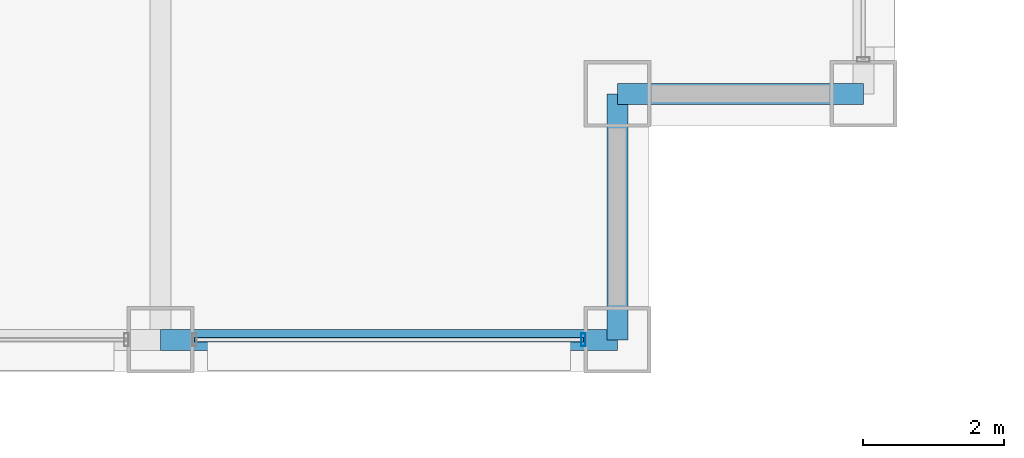
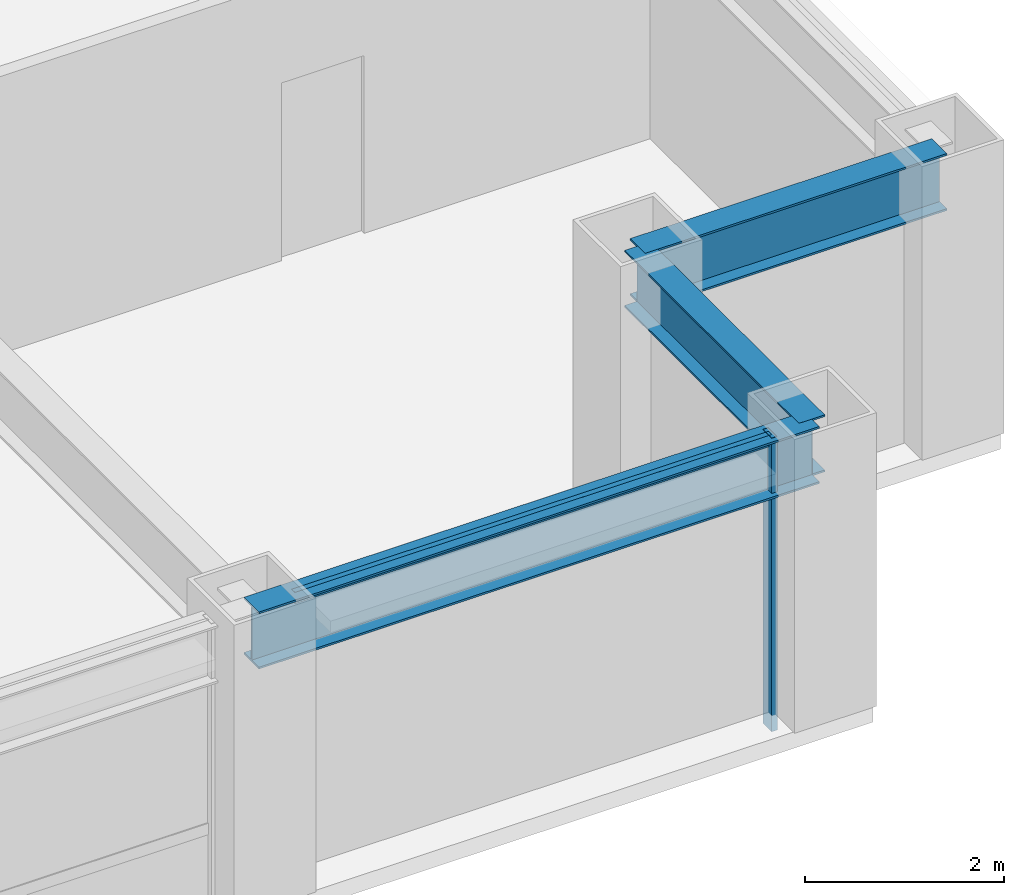
# One storey, part 10 of 31: 3 beams, 2 members, 1 element without a shape of its own.
"""IFC4 building model written with IfcOpenShell, lengths in metres."""

from ifc_helpers import new_model, si_unit, direction, frame, origin, origin_2d, place, context, subcontext, project, spatial, hollow_rectangle, i_section, extrude, material, layer, layer_set, material_profile, profile_set, type_object, element, aggregate, save


model = new_model("IFC4")

# Units and contexts
model_context = context("Model", 3, precision=1e-05, world=origin(), true_north=direction((0.0, 1.0)))
body_context = subcontext(model_context, "Body", "Model", "MODEL_VIEW")
ifc_project = project(units=[si_unit("LENGTHUNIT", "METRE"), si_unit("AREAUNIT", "SQUARE_METRE"), si_unit("VOLUMEUNIT", "CUBIC_METRE"), si_unit("PLANEANGLEUNIT", "RADIAN"), si_unit("MASSUNIT", "GRAM", prefix="KILO")], contexts=[model_context])

# Site, building, storey
site_placement = place(None, origin())
site = spatial("IfcSite", under=ifc_project, at=site_placement, CompositionType="ELEMENT")
building_placement = place(site_placement, origin())
building = spatial("IfcBuilding", under=site, at=building_placement, Name="Brelmoor Portico Tower", CompositionType="ELEMENT")
storey_placement = place(building_placement, frame((0.0, 0.0, 31.199951171875)))
storey = spatial("IfcBuildingStorey", under=building, at=storey_placement, Name="L07", CompositionType="ELEMENT", Elevation=31.199951171875)

# Beams
ifc_material_1 = material(Name="Steel Q355B", Category="steel")
ifc_material_profile_1 = material_profile(ifc_material_1, i_section(OverallWidth=0.300048828125, OverallDepth=0.699951171875, WebThickness=0.012939453125, FlangeThickness=0.02392578125, at=origin_2d()), Name="HN 700x300x13x24")
ifc_profile_set_1 = profile_set([ifc_material_profile_1], Name="Steel Q355B")
beam_type = type_object("IfcBeamType", Name="BM-SP-700", PredefinedType="SPANDREL", material=ifc_profile_set_1)
beam_placement = place(storey_placement, frame((14.550048828125, -21.550048828125, 3.050048828125), z_axis=(1.0, 0.0, 0.0), x_axis=(0.0, 1.0, 0.0)))
element("IfcBeam", 1, at=beam_placement, inside=storey, type_object=beam_type, Name="L07 Perimeter Spandrel Beam SP-05", PredefinedType="SPANDREL", context=body_context, shape_type="SweptSolid", body=[
    extrude(i_section(OverallWidth=0.300048828125, OverallDepth=0.699951171875, WebThickness=0.012939453125, FlangeThickness=0.02392578125, at=origin_2d()), origin(), (0.0, 0.0, 1.0), 6.5),
])
for number, where, z_axis, x_axis, name in (
    (2, (21.050048828125, -18.050048828125, 3.050048828125), (1.0, 0.0, 0.0), (0.0, 1.0, 0.0), "L07 Perimeter Spandrel Beam SP-07"),
    (3, (21.050048828125, -21.550048828125, 3.050048828125), (0.0, 1.0, 0.0), (-1.0, 0.0, 0.0), "L07 Perimeter Spandrel Beam SP-20"),
):
    element("IfcBeam", number, at=place(storey_placement, frame(where, z_axis=z_axis, x_axis=x_axis)), inside=storey, type_object=beam_type, Name=name, PredefinedType="SPANDREL", context=body_context, shape_type="SweptSolid", body=[
        extrude(i_section(OverallWidth=0.300048828125, OverallDepth=0.699951171875, WebThickness=0.012939453125, FlangeThickness=0.02392578125, at=origin_2d()), origin(), (0.0, 0.0, 1.0), 3.5),
    ])

# Curtain wall, members
ifc_material_2 = material(Name="Anodised Aluminium Alloy 6063-T6", Category="aluminium")
ifc_layer = layer(ifc_material_2, 0.179931640625)
ifc_layer_set = layer_set([ifc_layer], Name="Anodised Aluminium Alloy 6063-T6")
curtain_wall_type = type_object("IfcCurtainWallType", Name="CW-TOWER-Z1-XB", PredefinedType="NOTDEFINED", material=ifc_layer_set)
curtain_wall_placement = place(storey_placement, origin())
curtain_wall = element("IfcCurtainWall", 4, at=curtain_wall_placement, inside=storey, type_object=curtain_wall_type, Name="L07 Curtain Wall CW-L07-1R-3", PredefinedType="NOTDEFINED")
ifc_material_profile_2 = material_profile(ifc_material_2, hollow_rectangle(XDim=0.06494140625, YDim=0.179931640625, WallThickness=0.00390625, at=origin_2d()), Name="ALU MULLION 65x180")
ifc_profile_set_2 = profile_set([ifc_material_profile_2], Name="Anodised Aluminium Alloy 6063-T6")
member_type_1 = type_object("IfcMemberType", Name="MB-CW-MULL-180", PredefinedType="MULLION", material=ifc_profile_set_2)
member_1_placement = place(storey_placement, frame((20.56494140625, -21.550048828125, -0.199951171875), z_axis=(0.0, 0.0, 1.0), x_axis=(1.0, 0.0, 0.0)))
member_1 = element("IfcMember", 5, at=member_1_placement, type_object=member_type_1, Name="CW-L07-1R-3 Mullion 01", PredefinedType="MULLION", context=body_context, shape_type="SweptSolid", body=[
    extrude(hollow_rectangle(XDim=0.06494140625, YDim=0.179931640625, WallThickness=0.00390625, at=origin_2d()), origin(), (0.0, 0.0, 1.0), 3.60009765625),
])
ifc_material_profile_3 = material_profile(ifc_material_2, hollow_rectangle(XDim=0.06494140625, YDim=0.139892578125, WallThickness=0.00390625, at=origin_2d()), Name="ALU TRANSOM 65x140")
ifc_profile_set_3 = profile_set([ifc_material_profile_3], Name="Anodised Aluminium Alloy 6063-T6")
member_type_2 = type_object("IfcMemberType", Name="MB-CW-TRAN-140", PredefinedType="USERDEFINED", material=ifc_profile_set_3)
member_2_placement = place(storey_placement, frame((15.034912109375, -21.550048828125, 3.330078125), z_axis=(1.0, 0.0, 0.0), x_axis=(0.0, 1.0, 0.0)))
member_2 = element("IfcMember", 6, at=member_2_placement, type_object=member_type_2, Name="CW-L07-1R-3 Transom 1-00", ObjectType="TRANSOM", PredefinedType="USERDEFINED", context=body_context, shape_type="SweptSolid", body=[
    extrude(hollow_rectangle(XDim=0.06494140625, YDim=0.139892578125, WallThickness=0.00390625, at=origin_2d()), origin(), (0.0, 0.0, 1.0), 5.530029296875),
])
aggregate(curtain_wall, [member_1, member_2])

save(model, "model.ifc")
